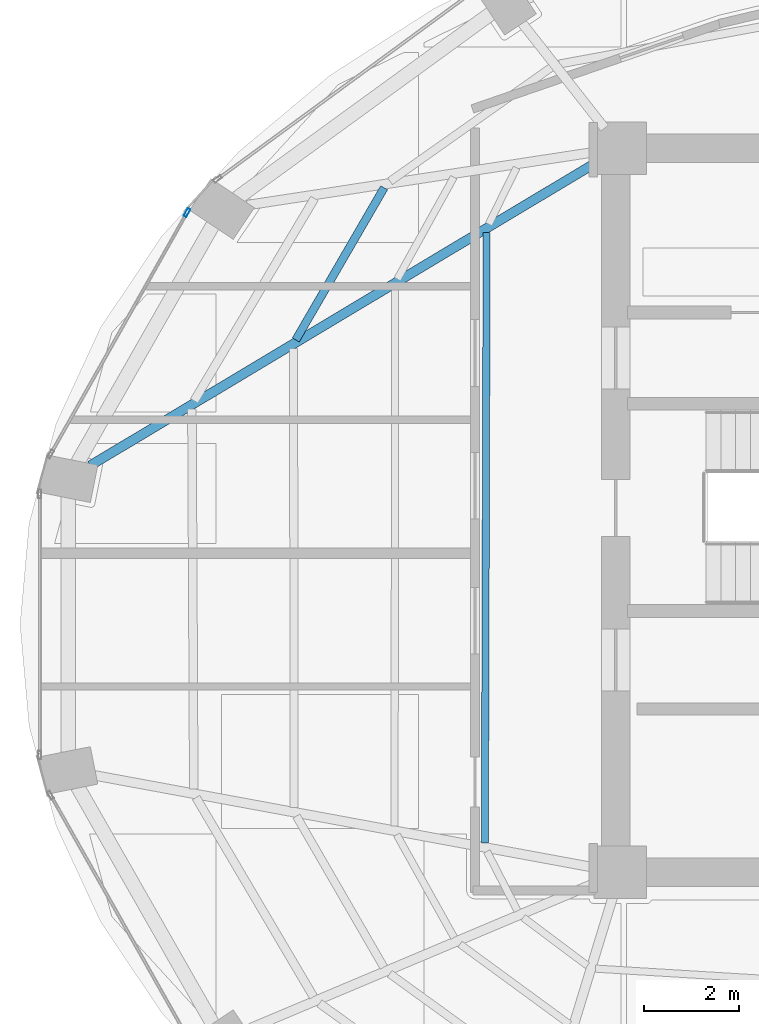
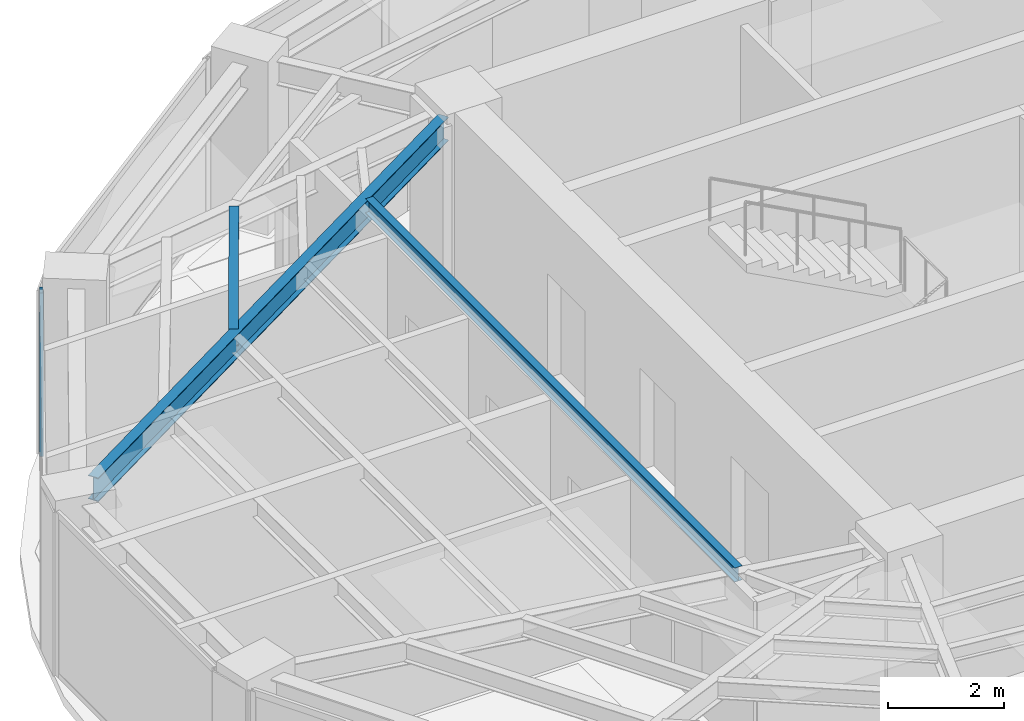
# One storey, part 9 of 23: 3 beams, 1 member, 1 element without a shape of its own.
"""IFC4 building model written with IfcOpenShell, lengths in metres."""

from ifc_helpers import new_model, si_unit, direction, frame, origin, origin_2d, place, context, subcontext, project, spatial, hollow_rectangle, i_section, extrude, material, layer, layer_set, material_profile, profile_set, type_object, element, aggregate, save


model = new_model("IFC4")

# Units and contexts
model_context = context("Model", 3, precision=1e-05, world=origin(), true_north=direction((0.0, 1.0)))
body_context = subcontext(model_context, "Body", "Model", "MODEL_VIEW")
ifc_project = project(units=[si_unit("LENGTHUNIT", "METRE"), si_unit("AREAUNIT", "SQUARE_METRE"), si_unit("VOLUMEUNIT", "CUBIC_METRE"), si_unit("PLANEANGLEUNIT", "RADIAN"), si_unit("MASSUNIT", "GRAM", prefix="KILO")], contexts=[model_context])

# Site, building, storey
site_placement = place(None, origin())
site = spatial("IfcSite", under=ifc_project, at=site_placement, CompositionType="ELEMENT")
building_placement = place(site_placement, origin())
building = spatial("IfcBuilding", under=site, at=building_placement, Name="Lazwardi Medical Tower", CompositionType="ELEMENT")
storey_placement = place(building_placement, frame((0.0, 0.0, 202.1279296875)))
storey = spatial("IfcBuildingStorey", under=building, at=storey_placement, Name="L52", CompositionType="ELEMENT", Elevation=202.1279296875)

# Beams
ifc_material_1 = material(Name="Steel S355", Category="steel")
ifc_material_profile_1 = material_profile(ifc_material_1, i_section(OverallWidth=0.199951171875, OverallDepth=0.5, WebThickness=0.01025390625, FlangeThickness=0.01611328125, at=origin_2d()), Name="IPE 500")
ifc_profile_set_1 = profile_set([ifc_material_profile_1], Name="Steel S355")
beam_type_1 = type_object("IfcBeamType", Name="BM-RG-W3", PredefinedType="BEAM", material=ifc_profile_set_1)
beam_1_placement = place(storey_placement, frame((15.27392578125, 28.937744140625, 3.197998046875), z_axis=(0.857944804603, 0.513741873176, 0.0), x_axis=(-0.513741873176, 0.857944804603, 0.0)))
element("IfcBeam", 1, at=beam_1_placement, inside=storey, type_object=beam_type_1, Name="Radial girder RG-04 R12 L52", PredefinedType="BEAM", context=body_context, shape_type="SweptSolid", body=[
    extrude(i_section(OverallWidth=0.199951171875, OverallDepth=0.5, WebThickness=0.01025390625, FlangeThickness=0.01611328125, at=origin_2d()), origin(), (0.0, 0.0, 1.0), 12.43310546875),
])
ifc_material_profile_2 = material_profile(ifc_material_1, i_section(OverallWidth=0.169921875, OverallDepth=0.360107421875, WebThickness=0.008056640625, FlangeThickness=0.0126953125, at=origin_2d()), Name="IPE 360")
ifc_profile_set_2 = profile_set([ifc_material_profile_2], Name="Steel S355")
beam_type_2 = type_object("IfcBeamType", Name="BM-SJ-02", PredefinedType="JOIST", material=ifc_profile_set_2)
beam_2_placement = place(storey_placement, frame((21.4423828125, 34.767578125, 3.26806640625), z_axis=(-0.50218018565, -0.864763008657, 0.0), x_axis=(0.864763008657, -0.50218018565, 0.0)))
element("IfcBeam", 2, at=beam_2_placement, inside=storey, type_object=beam_type_2, Name="Secondary joist SJ-02 R2 B11 L52", PredefinedType="JOIST", context=body_context, shape_type="SweptSolid", body=[
    extrude(i_section(OverallWidth=0.169921875, OverallDepth=0.360107421875, WebThickness=0.008056640625, FlangeThickness=0.0126953125, at=origin_2d()), origin(), (0.0, 0.0, 1.0), 3.69189453125),
])
ifc_material_profile_3 = material_profile(ifc_material_1, i_section(OverallWidth=0.14990234375, OverallDepth=0.300048828125, WebThickness=0.007080078125, FlangeThickness=0.0107421875, at=origin_2d()), Name="IPE 300")
ifc_profile_set_3 = profile_set([ifc_material_profile_3], Name="Steel S355")
beam_type_3 = type_object("IfcBeamType", Name="BM-SJ-03", PredefinedType="JOIST", material=ifc_profile_set_3)
beam_3_placement = place(storey_placement, frame((23.593994140625, 33.824951171875, 3.298095703125), z_axis=(-0.002897930673, -0.99999580099, 0.0), x_axis=(0.99999580099, -0.002897930673, 0.0)))
element("IfcBeam", 3, at=beam_3_placement, inside=storey, type_object=beam_type_3, Name="Secondary joist SJ-03 R4 B12 L52", PredefinedType="JOIST", context=body_context, shape_type="SweptSolid", body=[
    extrude(i_section(OverallWidth=0.14990234375, OverallDepth=0.300048828125, WebThickness=0.007080078125, FlangeThickness=0.0107421875, at=origin_2d()), origin(), (0.0, 0.0, 1.0), 12.805419921875),
])

# Curtain wall, member
ifc_material_2 = material(Name="Anodised bronze aluminium and solar control glazing", Category="aluminium")
ifc_layer = layer(ifc_material_2, 0.18994140625)
ifc_layer_set = layer_set([ifc_layer], Name="Anodised bronze aluminium and solar control glazing")
curtain_wall_type = type_object("IfcCurtainWallType", Name="CW-SYS-04", PredefinedType="NOTDEFINED", material=ifc_layer_set)
curtain_wall_placement = place(storey_placement, origin())
curtain_wall = element("IfcCurtainWall", 4, at=curtain_wall_placement, inside=storey, type_object=curtain_wall_type, Name="L52 Unitised bronze curtain wall CW-04", PredefinedType="NOTDEFINED")
ifc_material_3 = material(Name="Anodised bronze aluminium", Category="aluminium")
ifc_material_profile_4 = material_profile(ifc_material_3, hollow_rectangle(XDim=0.06494140625, YDim=0.179931640625, WallThickness=0.00390625, at=origin_2d()), Name="ALU-MULLION 180x65x4")
ifc_profile_set_4 = profile_set([ifc_material_profile_4], Name="Anodised bronze aluminium")
member_type = type_object("IfcMemberType", Name="CW-MUL-03", PredefinedType="MULLION", material=ifc_profile_set_4)
member_placement = place(storey_placement, frame((17.3056640625, 34.24560546875, 0.0), z_axis=(0.0, 0.0, 1.0), x_axis=(0.870651436011, -0.491900474661, 0.0)))
member = element("IfcMember", 5, at=member_placement, type_object=member_type, Name="CW-04 mullion 1", PredefinedType="MULLION", context=body_context, shape_type="SweptSolid", body=[
    extrude(hollow_rectangle(XDim=0.06494140625, YDim=0.179931640625, WallThickness=0.00390625, at=origin_2d()), origin(), (0.0, 0.0, 1.0), 3.447998046875),
])
aggregate(curtain_wall, [member])

save(model, "model.ifc")
